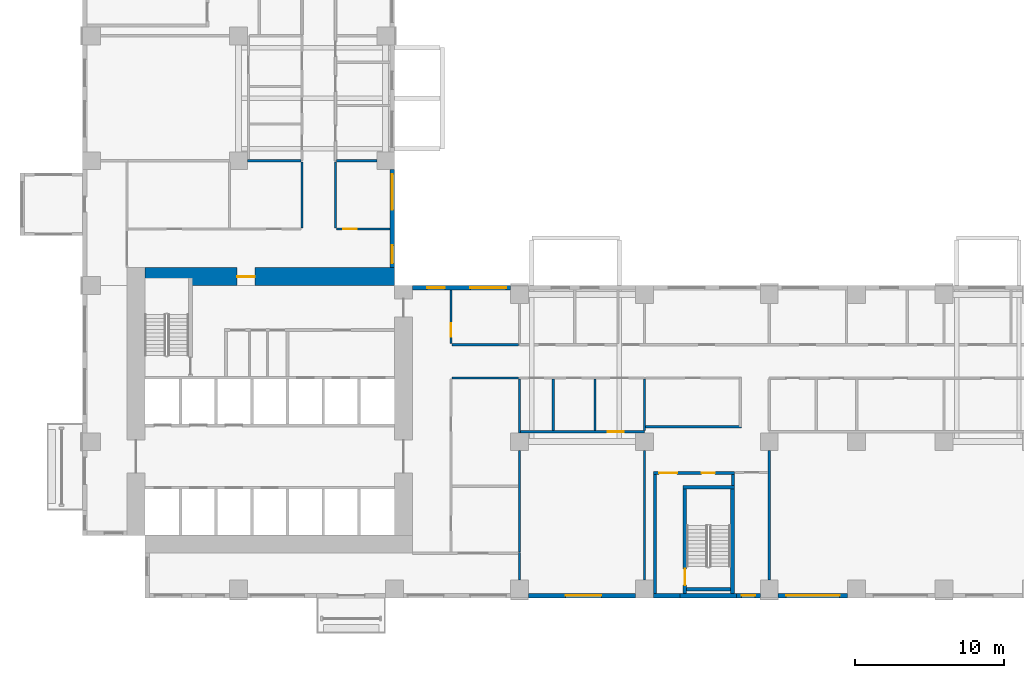
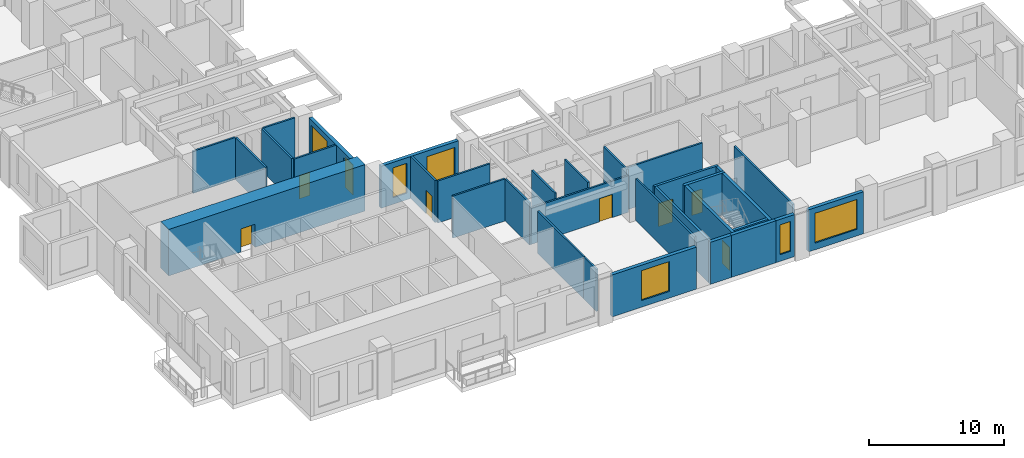
# One storey, part 4 of 14: 33 walls, 7 doors, 7 windows, 14 openings.
"""IFC4 building model written with IfcOpenShell, lengths in metres."""

from ifc_helpers import new_model, si_unit, direction, frame, frame_2d, origin, place, context, subcontext, project, spatial, rectangle, extrude, source, transform, mapped, material, layer, layer_set, type_object, element, fill, save


model = new_model("IFC4")

# Units and contexts
model_context = context("Model", 3, precision=1e-05, world=origin(), true_north=direction((0.0, 1.0)))
body_context = subcontext(model_context, "Body", "Model", "MODEL_VIEW")
ifc_project = project(units=[si_unit("LENGTHUNIT", "METRE"), si_unit("AREAUNIT", "SQUARE_METRE"), si_unit("VOLUMEUNIT", "CUBIC_METRE"), si_unit("PLANEANGLEUNIT", "RADIAN"), si_unit("MASSUNIT", "GRAM", prefix="KILO")], contexts=[model_context])

# Site, building, storey
site_placement = place(None, origin())
site = spatial("IfcSite", under=ifc_project, at=site_placement, CompositionType="ELEMENT")
building_placement = place(site_placement, origin())
building = spatial("IfcBuilding", under=site, at=building_placement, Name="Aurelian Terraces", CompositionType="ELEMENT")
storey_placement = place(building_placement, frame((0.0, 0.0, 86.7)))
storey = spatial("IfcBuildingStorey", under=building, at=storey_placement, Name="L18", CompositionType="ELEMENT", Elevation=86.7)

# Wall, opening, door
ifc_material_1 = material(Name="Concrete fc' 83 MPa", Category="concrete")
ifc_layer_1 = layer(ifc_material_1, 1.2)
ifc_layer_set_1 = layer_set([ifc_layer_1], Name="CORE WALL 1200 FC83")
wall_type_1 = type_object("IfcWallType", Name="CORE WALL 1200 FC83", PredefinedType="SHEAR", material=ifc_layer_set_1)
shared_shape_1 = source(origin(), body_context, "Body", "SweptSolid", [
    extrude(rectangle(XDim=16.8, YDim=1.2, at=frame_2d((8.4, 0.0))), origin(), (0.0, 0.0, 1.0), 4.2),
])
wall_1_placement = place(storey_placement, frame((4.2, 21.6, 0.0), z_axis=(0.0, 0.0, 1.0), x_axis=(1.0, 0.0, 0.0)))
wall_1 = element("IfcWall", 1, at=wall_1_placement, inside=storey, type_object=wall_type_1, Name="Core wall N L18", PredefinedType="SHEAR", context=body_context, shape_type="MappedRepresentation", body=[
    mapped(shared_shape_1, transform((0.0, 0.0, 0.0), scale=1.0)),
])
shared_shape_2 = source(origin(), body_context, "Body", "SweptSolid", [
    extrude(rectangle(XDim=1.2, YDim=2.1, at=frame_2d((0.6, 1.05))), frame((0.0, 0.61, 0.0), z_axis=(0.0, -1.0, 0.0), x_axis=(1.0, 0.0, 0.0)), (0.0, 0.0, 1.0), 1.22),
])
opening_1_placement = place(wall_1_placement, frame((6.2, 0.0, 0.0)))
opening_1 = element("IfcOpeningElement", 2, at=opening_1_placement, cuts=wall_1, Name="Opening 62123", PredefinedType="OPENING", context=body_context, shape_type="MappedRepresentation", body=[
    mapped(shared_shape_2, transform((0.0, 0.0, 0.0), scale=1.0)),
])
ifc_material_2 = material(Name="Steel door leaf", Category="steel")
door_type_1 = type_object("IfcDoorType", Name="Core fire door 1200x2100 right", OperationType="SINGLE_SWING_RIGHT", PredefinedType="DOOR", material=ifc_material_2)
shared_shape_3 = source(origin(), body_context, "Body", "SweptSolid", [
    extrude(rectangle(XDim=1.2, YDim=2.1, at=frame_2d((0.6, 1.05))), frame((0.0, 0.025, 0.0), z_axis=(0.0, -1.0, 0.0), x_axis=(1.0, 0.0, 0.0)), (0.0, 0.0, 1.0), 0.05),
])
door_1_placement = place(opening_1_placement, origin())
door_1 = element("IfcDoor", 3, at=door_1_placement, inside=storey, type_object=door_type_1, Name="Core door 62123", OperationType="SINGLE_SWING_RIGHT", OverallHeight=2.1, OverallWidth=1.2, PredefinedType="DOOR", context=body_context, shape_type="MappedRepresentation", body=[
    mapped(shared_shape_3, transform((0.0, 0.0, 0.0), scale=1.0)),
])
fill(opening_1, door_1)

# Wall, opening, window
ifc_material_3 = material(Name="Terracotta rainscreen cladding", Category="masonry")
ifc_layer_2 = layer(ifc_material_3, 0.3)
ifc_layer_set_2 = layer_set([ifc_layer_2], Name="EW-300")
wall_type_2 = type_object("IfcWallType", Name="EW-300", PredefinedType="STANDARD", material=ifc_layer_set_2)
shared_shape_4 = source(origin(), body_context, "Body", "SweptSolid", [
    extrude(rectangle(XDim=7.2, YDim=0.3, at=frame_2d((3.6, 0.0))), origin(), (0.0, 0.0, 1.0), 3.8),
])
wall_2_placement = place(storey_placement, frame((30.0, 0.15, 0.0), z_axis=(0.0, 0.0, 1.0), x_axis=(1.0, 0.0, 0.0)))
wall_2 = element("IfcWall", 4, at=wall_2_placement, inside=storey, type_object=wall_type_2, Name="External wall L18 F01.6", PredefinedType="STANDARD", context=body_context, shape_type="MappedRepresentation", body=[
    mapped(shared_shape_4, transform((0.0, 0.0, 0.0), scale=1.0)),
])
shared_shape_5 = source(origin(), body_context, "Body", "SweptSolid", [
    extrude(rectangle(XDim=2.4, YDim=2.7, at=frame_2d((1.2, 1.35))), frame((0.0, 0.16, 0.0), z_axis=(0.0, -1.0, 0.0), x_axis=(1.0, 0.0, 0.0)), (0.0, 0.0, 1.0), 0.32),
])
opening_2_placement = place(wall_2_placement, frame((2.5, 0.0, 0.6)))
opening_2 = element("IfcOpeningElement", 5, at=opening_2_placement, cuts=wall_2, Name="Opening W2427", PredefinedType="OPENING", context=body_context, shape_type="MappedRepresentation", body=[
    mapped(shared_shape_5, transform((0.0, 0.0, 0.0), scale=1.0)),
])
ifc_material_4 = material(Name="Clear glazing", Category="glass")
window_type_1 = type_object("IfcWindowType", Name="W-2400x2700", PartitioningType="SINGLE_PANEL", PredefinedType="WINDOW", material=ifc_material_4)
shared_shape_6 = source(origin(), body_context, "Body", "SweptSolid", [
    extrude(rectangle(XDim=2.4, YDim=2.7, at=frame_2d((1.2, 1.35))), frame((0.0, 0.03, 0.0), z_axis=(0.0, -1.0, 0.0), x_axis=(1.0, 0.0, 0.0)), (0.0, 0.0, 1.0), 0.06),
])
window_1_placement = place(opening_2_placement, origin())
window_1 = element("IfcWindow", 6, at=window_1_placement, inside=storey, type_object=window_type_1, Name="Window L18 L18-F01-06-P0", OverallHeight=2.7, OverallWidth=2.4, PartitioningType="SINGLE_PANEL", PredefinedType="WINDOW", context=body_context, shape_type="MappedRepresentation", body=[
    mapped(shared_shape_6, transform((0.0, 0.0, 0.0), scale=1.0)),
])
fill(opening_2, window_1)

shared_shape_7 = source(origin(), body_context, "Body", "SweptSolid", [
    extrude(rectangle(XDim=4.68, YDim=0.3, at=frame_2d((2.34, 0.0))), origin(), (0.0, 0.0, 1.0), 3.8),
])
wall_3_placement = place(storey_placement, frame((46.8, 0.15, 0.0), z_axis=(0.0, 0.0, 1.0), x_axis=(1.0, 0.0, 0.0)))
wall_3 = element("IfcWall", 7, at=wall_3_placement, inside=storey, type_object=wall_type_2, Name="External wall L18 F01.8", PredefinedType="STANDARD", context=body_context, shape_type="MappedRepresentation", body=[
    mapped(shared_shape_7, transform((0.0, 0.0, 0.0), scale=1.0)),
])
shared_shape_8 = source(origin(), body_context, "Body", "SweptSolid", [
    extrude(rectangle(XDim=3.6, YDim=2.7, at=frame_2d((1.8, 1.35))), frame((0.0, 0.16, 0.0), z_axis=(0.0, -1.0, 0.0), x_axis=(1.0, 0.0, 0.0)), (0.0, 0.0, 1.0), 0.32),
])
opening_3_placement = place(wall_3_placement, frame((0.54, 0.0, 0.6)))
opening_3 = element("IfcOpeningElement", 8, at=opening_3_placement, cuts=wall_3, Name="Opening W3627", PredefinedType="OPENING", context=body_context, shape_type="MappedRepresentation", body=[
    mapped(shared_shape_8, transform((0.0, 0.0, 0.0), scale=1.0)),
])
window_type_2 = type_object("IfcWindowType", Name="W-3600x2700", PartitioningType="SINGLE_PANEL", PredefinedType="WINDOW", material=ifc_material_4)
shared_shape_9 = source(origin(), body_context, "Body", "SweptSolid", [
    extrude(rectangle(XDim=3.6, YDim=2.7, at=frame_2d((1.8, 1.35))), frame((0.0, 0.03, 0.0), z_axis=(0.0, -1.0, 0.0), x_axis=(1.0, 0.0, 0.0)), (0.0, 0.0, 1.0), 0.06),
])
window_2_placement = place(opening_3_placement, origin())
window_2 = element("IfcWindow", 9, at=window_2_placement, inside=storey, type_object=window_type_2, Name="Window L18 L18-F01-08-0", OverallHeight=2.7, OverallWidth=3.6, PartitioningType="SINGLE_PANEL", PredefinedType="WINDOW", context=body_context, shape_type="MappedRepresentation", body=[
    mapped(shared_shape_9, transform((0.0, 0.0, 0.0), scale=1.0)),
])
fill(opening_3, window_2)

shared_shape_10 = source(origin(), body_context, "Body", "SweptSolid", [
    extrude(rectangle(XDim=1.6, YDim=0.3, at=frame_2d((0.8, 0.0))), origin(), (0.0, 0.0, 1.0), 3.8),
])
wall_4_placement = place(storey_placement, frame((44.0, 0.15, 0.0), z_axis=(0.0, 0.0, 1.0), x_axis=(1.0, 0.0, 0.0)))
wall_4 = element("IfcWall", 10, at=wall_4_placement, inside=storey, type_object=wall_type_2, Name="External wall L18 F01.7", PredefinedType="STANDARD", context=body_context, shape_type="MappedRepresentation", body=[
    mapped(shared_shape_10, transform((0.0, 0.0, 0.0), scale=1.0)),
])
shared_shape_11 = source(origin(), body_context, "Body", "SweptSolid", [
    extrude(rectangle(XDim=0.9, YDim=2.7, at=frame_2d((0.45, 1.35))), frame((0.0, 0.16, 0.0), z_axis=(0.0, -1.0, 0.0), x_axis=(1.0, 0.0, 0.0)), (0.0, 0.0, 1.0), 0.32),
])
opening_4_placement = place(wall_4_placement, frame((0.35, 0.0, 0.6)))
opening_4 = element("IfcOpeningElement", 11, at=opening_4_placement, cuts=wall_4, Name="Opening W0927", PredefinedType="OPENING", context=body_context, shape_type="MappedRepresentation", body=[
    mapped(shared_shape_11, transform((0.0, 0.0, 0.0), scale=1.0)),
])
window_type_3 = type_object("IfcWindowType", Name="W-900x2700", PartitioningType="SINGLE_PANEL", PredefinedType="WINDOW", material=ifc_material_4)
shared_shape_12 = source(origin(), body_context, "Body", "SweptSolid", [
    extrude(rectangle(XDim=0.9, YDim=2.7, at=frame_2d((0.45, 1.35))), frame((0.0, 0.03, 0.0), z_axis=(0.0, -1.0, 0.0), x_axis=(1.0, 0.0, 0.0)), (0.0, 0.0, 1.0), 0.06),
])
window_3_placement = place(opening_4_placement, origin())
window_3 = element("IfcWindow", 12, at=window_3_placement, inside=storey, type_object=window_type_3, Name="Window L18 L18-F01-07-P2", OverallHeight=2.7, OverallWidth=0.9, PartitioningType="SINGLE_PANEL", PredefinedType="WINDOW", context=body_context, shape_type="MappedRepresentation", body=[
    mapped(shared_shape_12, transform((0.0, 0.0, 0.0), scale=1.0)),
])
fill(opening_4, window_3)

# Walls
ifc_material_5 = material(Name="Concrete fc' 40 MPa", Category="concrete")
ifc_layer_3 = layer(ifc_material_5, 0.3)
ifc_layer_set_3 = layer_set([ifc_layer_3], Name="STAIR BAY WALL 300")
wall_type_3 = type_object("IfcWallType", Name="STAIR BAY WALL 300", PredefinedType="SOLIDWALL", material=ifc_layer_set_3)
shared_shape_13 = source(origin(), body_context, "Body", "SweptSolid", [
    extrude(rectangle(XDim=3.8, YDim=0.3, at=frame_2d((1.9, 0.0))), origin(), (0.0, 0.0, 1.0), 3.8),
])
wall_5_placement = place(storey_placement, frame((40.2, 0.15, 0.0), z_axis=(0.0, 0.0, 1.0), x_axis=(1.0, 0.0, 0.0)))
element("IfcWall", 13, at=wall_5_placement, inside=storey, type_object=wall_type_3, Name="Stair bay wall L18 F01.7", PredefinedType="SOLIDWALL", context=body_context, shape_type="MappedRepresentation", body=[
    mapped(shared_shape_13, transform((0.0, 0.0, 0.0), scale=1.0)),
])
shared_shape_14 = source(origin(), body_context, "Body", "SweptSolid", [
    extrude(rectangle(XDim=1.8, YDim=0.3, at=frame_2d((0.9, 0.0))), origin(), (0.0, 0.0, 1.0), 3.8),
])
wall_6_placement = place(storey_placement, frame((38.4, 0.15, 0.0), z_axis=(0.0, 0.0, 1.0), x_axis=(1.0, 0.0, 0.0)))
element("IfcWall", 14, at=wall_6_placement, inside=storey, type_object=wall_type_2, Name="External wall L18 F01.7", PredefinedType="STANDARD", context=body_context, shape_type="MappedRepresentation", body=[
    mapped(shared_shape_14, transform((0.0, 0.0, 0.0), scale=1.0)),
])

# Wall, openings, windows
shared_shape_15 = source(origin(), body_context, "Body", "SweptSolid", [
    extrude(rectangle(XDim=6.6, YDim=0.3, at=frame_2d((3.3, 0.0))), origin(), (0.0, 0.0, 1.0), 3.8),
])
wall_7_placement = place(storey_placement, frame((28.8, 20.85, 0.0), z_axis=(0.0, 0.0, 1.0), x_axis=(-1.0, 0.0, 0.0)))
wall_7 = element("IfcWall", 15, at=wall_7_placement, inside=storey, type_object=wall_type_2, Name="External wall L18 F07.21", PredefinedType="STANDARD", context=body_context, shape_type="MappedRepresentation", body=[
    mapped(shared_shape_15, transform((0.0, 0.0, 0.0), scale=1.0)),
])
opening_5_placement = place(wall_7_placement, frame((0.3, 0.0, 0.6)))
opening_5 = element("IfcOpeningElement", 16, at=opening_5_placement, cuts=wall_7, Name="Opening W2427", PredefinedType="OPENING", context=body_context, shape_type="MappedRepresentation", body=[
    mapped(shared_shape_5, transform((0.0, 0.0, 0.0), scale=1.0)),
])
shared_shape_16 = source(origin(), body_context, "Body", "SweptSolid", [
    extrude(rectangle(XDim=1.2, YDim=2.7, at=frame_2d((0.6, 1.35))), frame((0.0, 0.16, 0.0), z_axis=(0.0, -1.0, 0.0), x_axis=(1.0, 0.0, 0.0)), (0.0, 0.0, 1.0), 0.32),
])
opening_6_placement = place(wall_7_placement, frame((4.4125, 0.0, 0.6)))
opening_6 = element("IfcOpeningElement", 17, at=opening_6_placement, cuts=wall_7, Name="Opening W1227", PredefinedType="OPENING", context=body_context, shape_type="MappedRepresentation", body=[
    mapped(shared_shape_16, transform((0.0, 0.0, 0.0), scale=1.0)),
])
window_4_placement = place(opening_5_placement, origin())
window_4 = element("IfcWindow", 18, at=window_4_placement, inside=storey, type_object=window_type_1, Name="Window L18 L18-F07-21-3", OverallHeight=2.7, OverallWidth=2.4, PartitioningType="SINGLE_PANEL", PredefinedType="WINDOW", context=body_context, shape_type="MappedRepresentation", body=[
    mapped(shared_shape_6, transform((0.0, 0.0, 0.0), scale=1.0)),
])
fill(opening_5, window_4)
window_type_4 = type_object("IfcWindowType", Name="W-1200x2700", PartitioningType="SINGLE_PANEL", PredefinedType="WINDOW", material=ifc_material_4)
shared_shape_17 = source(origin(), body_context, "Body", "SweptSolid", [
    extrude(rectangle(XDim=1.2, YDim=2.7, at=frame_2d((0.6, 1.35))), frame((0.0, 0.03, 0.0), z_axis=(0.0, -1.0, 0.0), x_axis=(1.0, 0.0, 0.0)), (0.0, 0.0, 1.0), 0.06),
])
window_5_placement = place(opening_6_placement, origin())
window_5 = element("IfcWindow", 19, at=window_5_placement, inside=storey, type_object=window_type_4, Name="Window L18 L18-F07-21-G2-201", OverallHeight=2.7, OverallWidth=1.2, PartitioningType="SINGLE_PANEL", PredefinedType="WINDOW", context=body_context, shape_type="MappedRepresentation", body=[
    mapped(shared_shape_17, transform((0.0, 0.0, 0.0), scale=1.0)),
])
fill(opening_6, window_5)

wall_8_placement = place(storey_placement, frame((20.85, 22.2, 0.0), z_axis=(0.0, 0.0, 1.0), x_axis=(0.0, 1.0, 0.0)))
wall_8 = element("IfcWall", 20, at=wall_8_placement, inside=storey, type_object=wall_type_2, Name="External wall L18 F08.22", PredefinedType="STANDARD", context=body_context, shape_type="MappedRepresentation", body=[
    mapped(shared_shape_15, transform((0.0, 0.0, 0.0), scale=1.0)),
])
opening_7_placement = place(wall_8_placement, frame((0.3, 0.0, 0.6)))
opening_7 = element("IfcOpeningElement", 21, at=opening_7_placement, cuts=wall_8, Name="Opening W1227", PredefinedType="OPENING", context=body_context, shape_type="MappedRepresentation", body=[
    mapped(shared_shape_16, transform((0.0, 0.0, 0.0), scale=1.0)),
])
opening_8_placement = place(wall_8_placement, frame((3.9, 0.0, 0.6)))
opening_8 = element("IfcOpeningElement", 22, at=opening_8_placement, cuts=wall_8, Name="Opening W2427", PredefinedType="OPENING", context=body_context, shape_type="MappedRepresentation", body=[
    mapped(shared_shape_5, transform((0.0, 0.0, 0.0), scale=1.0)),
])
window_6_placement = place(opening_8_placement, origin())
window_6 = element("IfcWindow", 23, at=window_6_placement, inside=storey, type_object=window_type_1, Name="Window L18 L18-F08-22-1", OverallHeight=2.7, OverallWidth=2.4, PartitioningType="SINGLE_PANEL", PredefinedType="WINDOW", context=body_context, shape_type="MappedRepresentation", body=[
    mapped(shared_shape_6, transform((0.0, 0.0, 0.0), scale=1.0)),
])
fill(opening_8, window_6)
window_7_placement = place(opening_7_placement, origin())
window_7 = element("IfcWindow", 24, at=window_7_placement, inside=storey, type_object=window_type_4, Name="Window L18 L18-F08-22-0", OverallHeight=2.7, OverallWidth=1.2, PartitioningType="SINGLE_PANEL", PredefinedType="WINDOW", context=body_context, shape_type="MappedRepresentation", body=[
    mapped(shared_shape_17, transform((0.0, 0.0, 0.0), scale=1.0)),
])
fill(opening_7, window_7)

# Wall, opening, door
ifc_layer_4 = layer(ifc_material_5, 0.25)
ifc_layer_set_4 = layer_set([ifc_layer_4], Name="Stair enclosure wall 250")
wall_type_4 = type_object("IfcWallType", Name="Stair enclosure wall 250", PredefinedType="SOLIDWALL", material=ifc_layer_set_4)
shared_shape_18 = source(origin(), body_context, "Body", "SweptSolid", [
    extrude(rectangle(XDim=7.0, YDim=0.25, at=frame_2d((3.5, 0.0))), origin(), (0.0, 0.0, 1.0), 3.8),
])
wall_9_placement = place(storey_placement, frame((40.525, 0.3, 0.0), z_axis=(0.0, 0.0, 1.0), x_axis=(0.0, 1.0, 0.0)))
wall_9 = element("IfcWall", 25, at=wall_9_placement, inside=storey, type_object=wall_type_4, Name="L18 core wall ST-S2-W", PredefinedType="SOLIDWALL", context=body_context, shape_type="MappedRepresentation", body=[
    mapped(shared_shape_18, transform((0.0, 0.0, 0.0), scale=1.0)),
])
shared_shape_19 = source(origin(), body_context, "Body", "SweptSolid", [
    extrude(rectangle(XDim=1.1, YDim=2.1, at=frame_2d((0.55, 1.05))), frame((0.0, 0.135, 0.0), z_axis=(0.0, -1.0, 0.0), x_axis=(1.0, 0.0, 0.0)), (0.0, 0.0, 1.0), 0.27),
])
opening_9_placement = place(wall_9_placement, frame((0.55, 0.0, 0.0)))
opening_9 = element("IfcOpeningElement", 26, at=opening_9_placement, cuts=wall_9, Name="Opening 62115", PredefinedType="OPENING", context=body_context, shape_type="MappedRepresentation", body=[
    mapped(shared_shape_19, transform((0.0, 0.0, 0.0), scale=1.0)),
])
door_type_2 = type_object("IfcDoorType", Name="Core fire door 1100x2100", OperationType="SINGLE_SWING_LEFT", PredefinedType="DOOR", material=ifc_material_2)
shared_shape_20 = source(origin(), body_context, "Body", "SweptSolid", [
    extrude(rectangle(XDim=1.1, YDim=2.1, at=frame_2d((0.55, 1.05))), frame((0.0, 0.025, 0.0), z_axis=(0.0, -1.0, 0.0), x_axis=(1.0, 0.0, 0.0)), (0.0, 0.0, 1.0), 0.05),
])
door_2_placement = place(opening_9_placement, origin())
door_2 = element("IfcDoor", 27, at=door_2_placement, inside=storey, type_object=door_type_2, Name="Stair door 62115", OperationType="SINGLE_SWING_LEFT", OverallHeight=2.1, OverallWidth=1.1, PredefinedType="DOOR", context=body_context, shape_type="MappedRepresentation", body=[
    mapped(shared_shape_20, transform((0.0, 0.0, 0.0), scale=1.0)),
])
fill(opening_9, door_2)

# Walls
wall_10_placement = place(storey_placement, frame((43.725, 0.3, 0.0), z_axis=(0.0, 0.0, 1.0), x_axis=(0.0, 1.0, 0.0)))
element("IfcWall", 28, at=wall_10_placement, inside=storey, type_object=wall_type_4, Name="L18 core wall ST-S2-E", PredefinedType="SOLIDWALL", context=body_context, shape_type="MappedRepresentation", body=[
    mapped(shared_shape_18, transform((0.0, 0.0, 0.0), scale=1.0)),
])
shared_shape_21 = source(origin(), body_context, "Body", "SweptSolid", [
    extrude(rectangle(XDim=3.45, YDim=0.25, at=frame_2d((1.725, 0.0))), origin(), (0.0, 0.0, 1.0), 3.8),
])
wall_11_placement = place(storey_placement, frame((40.4, 7.425, 0.0), z_axis=(0.0, 0.0, 1.0), x_axis=(1.0, 0.0, 0.0)))
element("IfcWall", 29, at=wall_11_placement, inside=storey, type_object=wall_type_4, Name="L18 core wall ST-S2-N", PredefinedType="SOLIDWALL", context=body_context, shape_type="MappedRepresentation", body=[
    mapped(shared_shape_21, transform((0.0, 0.0, 0.0), scale=1.0)),
])
shared_shape_22 = source(origin(), body_context, "Body", "SweptSolid", [
    extrude(rectangle(XDim=2.95, YDim=0.25, at=frame_2d((1.475, 0.0))), origin(), (0.0, 0.0, 1.0), 3.8),
])
wall_12_placement = place(storey_placement, frame((40.65, 0.575, 0.0), z_axis=(0.0, 0.0, 1.0), x_axis=(1.0, 0.0, 0.0)))
element("IfcWall", 30, at=wall_12_placement, inside=storey, type_object=wall_type_4, Name="L18 core wall ST-S2-SS", PredefinedType="SOLIDWALL", context=body_context, shape_type="MappedRepresentation", body=[
    mapped(shared_shape_22, transform((0.0, 0.0, 0.0), scale=1.0)),
])
ifc_material_6 = material(Name="Gypsum board on steel studs", Category="steel")
ifc_layer_5 = layer(ifc_material_6, 0.2)
ifc_layer_set_5 = layer_set([ifc_layer_5], Name="Core partition 200")
wall_type_5 = type_object("IfcWallType", Name="Core partition 200", PredefinedType="PARTITIONING", material=ifc_layer_set_5)
shared_shape_23 = source(origin(), body_context, "Body", "SweptSolid", [
    extrude(rectangle(XDim=8.0, YDim=0.2, at=frame_2d((4.0, 0.0))), origin(), (0.0, 0.0, 1.0), 3.8),
])
wall_13_placement = place(storey_placement, frame((38.5, 0.3, 0.0), z_axis=(0.0, 0.0, 1.0), x_axis=(0.0, 1.0, 0.0)))
element("IfcWall", 31, at=wall_13_placement, inside=storey, type_object=wall_type_5, Name="L18 core wall ST-S2-VW", PredefinedType="PARTITIONING", context=body_context, shape_type="MappedRepresentation", body=[
    mapped(shared_shape_23, transform((0.0, 0.0, 0.0), scale=1.0)),
])

# Wall, openings, doors
shared_shape_24 = source(origin(), body_context, "Body", "SweptSolid", [
    extrude(rectangle(XDim=5.45, YDim=0.2, at=frame_2d((2.725, 0.0))), origin(), (0.0, 0.0, 1.0), 3.8),
])
wall_14_placement = place(storey_placement, frame((38.4, 8.4, 0.0), z_axis=(0.0, 0.0, 1.0), x_axis=(1.0, 0.0, 0.0)))
wall_14 = element("IfcWall", 32, at=wall_14_placement, inside=storey, type_object=wall_type_5, Name="L18 core wall ST-S2-BN", PredefinedType="PARTITIONING", context=body_context, shape_type="MappedRepresentation", body=[
    mapped(shared_shape_24, transform((0.0, 0.0, 0.0), scale=1.0)),
])
shared_shape_25 = source(origin(), body_context, "Body", "SweptSolid", [
    extrude(rectangle(XDim=1.2, YDim=2.1, at=frame_2d((0.6, 1.05))), frame((0.0, 0.11, 0.0), z_axis=(0.0, -1.0, 0.0), x_axis=(1.0, 0.0, 0.0)), (0.0, 0.0, 1.0), 0.22),
])
opening_10_placement = place(wall_14_placement, frame((0.4, 0.0, 0.0)))
opening_10 = element("IfcOpeningElement", 33, at=opening_10_placement, cuts=wall_14, Name="Opening 62116", PredefinedType="OPENING", context=body_context, shape_type="MappedRepresentation", body=[
    mapped(shared_shape_25, transform((0.0, 0.0, 0.0), scale=1.0)),
])
shared_shape_26 = source(origin(), body_context, "Body", "SweptSolid", [
    extrude(rectangle(XDim=0.9, YDim=2.1, at=frame_2d((0.45, 1.05))), frame((0.0, 0.11, 0.0), z_axis=(0.0, -1.0, 0.0), x_axis=(1.0, 0.0, 0.0)), (0.0, 0.0, 1.0), 0.22),
])
opening_11_placement = place(wall_14_placement, frame((3.25, 0.0, 0.0)))
opening_11 = element("IfcOpeningElement", 34, at=opening_11_placement, cuts=wall_14, Name="Opening 62117", PredefinedType="OPENING", context=body_context, shape_type="MappedRepresentation", body=[
    mapped(shared_shape_26, transform((0.0, 0.0, 0.0), scale=1.0)),
])
door_type_3 = type_object("IfcDoorType", Name="Core riser door 900x2100", OperationType="SINGLE_SWING_LEFT", PredefinedType="DOOR", material=ifc_material_2)
shared_shape_27 = source(origin(), body_context, "Body", "SweptSolid", [
    extrude(rectangle(XDim=0.9, YDim=2.1, at=frame_2d((0.45, 1.05))), frame((0.0, 0.025, 0.0), z_axis=(0.0, -1.0, 0.0), x_axis=(1.0, 0.0, 0.0)), (0.0, 0.0, 1.0), 0.05),
])
door_3_placement = place(opening_11_placement, origin())
door_3 = element("IfcDoor", 35, at=door_3_placement, inside=storey, type_object=door_type_3, Name="Riser door 62117", OperationType="SINGLE_SWING_LEFT", OverallHeight=2.1, OverallWidth=0.9, PredefinedType="DOOR", context=body_context, shape_type="MappedRepresentation", body=[
    mapped(shared_shape_27, transform((0.0, 0.0, 0.0), scale=1.0)),
])
fill(opening_11, door_3)
door_4_placement = place(opening_10_placement, origin())
door_4 = element("IfcDoor", 36, at=door_4_placement, inside=storey, type_object=door_type_1, Name="Vestibule door 62116", OperationType="SINGLE_SWING_RIGHT", OverallHeight=2.1, OverallWidth=1.2, PredefinedType="DOOR", context=body_context, shape_type="MappedRepresentation", body=[
    mapped(shared_shape_3, transform((0.0, 0.0, 0.0), scale=1.0)),
])
fill(opening_10, door_4)

# Walls
shared_shape_28 = source(origin(), body_context, "Body", "SweptSolid", [
    extrude(rectangle(XDim=0.75, YDim=0.2, at=frame_2d((0.375, 0.0))), origin(), (0.0, 0.0, 1.0), 3.8),
])
wall_15_placement = place(storey_placement, frame((43.75, 7.55, 0.0), z_axis=(0.0, 0.0, 1.0), x_axis=(0.0, 1.0, 0.0)))
element("IfcWall", 37, at=wall_15_placement, inside=storey, type_object=wall_type_5, Name="L18 core wall ST-S2-RE", PredefinedType="PARTITIONING", context=body_context, shape_type="MappedRepresentation", body=[
    mapped(shared_shape_28, transform((0.0, 0.0, 0.0), scale=1.0)),
])
ifc_layer_6 = layer(ifc_material_6, 0.15)
ifc_layer_set_6 = layer_set([ifc_layer_6], Name="Partition 150")
wall_type_6 = type_object("IfcWallType", Name="Partition 150", PredefinedType="PARTITIONING", material=ifc_layer_set_6)
shared_shape_29 = source(origin(), body_context, "Body", "SweptSolid", [
    extrude(rectangle(XDim=6.45, YDim=0.15, at=frame_2d((3.225, 0.0))), origin(), (0.0, 0.0, 1.0), 3.8),
])
wall_16_placement = place(storey_placement, frame((37.875, 11.5, 0.0), z_axis=(0.0, 0.0, 1.0), x_axis=(1.0, 0.0, 0.0)))
element("IfcWall", 38, at=wall_16_placement, inside=storey, type_object=wall_type_6, Name="Partition", PredefinedType="PARTITIONING", context=body_context, shape_type="MappedRepresentation", body=[
    mapped(shared_shape_29, transform((0.0, 0.0, 0.0), scale=1.0)),
])
shared_shape_30 = source(origin(), body_context, "Body", "SweptSolid", [
    extrude(rectangle(XDim=8.702, YDim=0.15, at=frame_2d((4.351, 0.0))), origin(), (0.0, 0.0, 1.0), 3.8),
])
for number, where, z_axis, x_axis, name in (
    (39, (37.8, 1.199, 0.0), (0.0, 0.0, 1.0), (0.0, 1.0, 0.0), "Partition"),
    (40, (46.2, 1.199, 0.0), (0.0, 0.0, 1.0), (0.0, 1.0, 0.0), "Partition"),
):
    element("IfcWall", number, at=place(storey_placement, frame(where, z_axis=z_axis, x_axis=x_axis)), inside=storey, type_object=wall_type_6, Name=name, PredefinedType="PARTITIONING", context=body_context, shape_type="MappedRepresentation", body=[
        mapped(shared_shape_30, transform((0.0, 0.0, 0.0), scale=1.0)),
    ])

# Wall, opening, door
shared_shape_31 = source(origin(), body_context, "Body", "SweptSolid", [
    extrude(rectangle(XDim=3.6, YDim=0.15, at=frame_2d((1.8, 0.0))), origin(), (0.0, 0.0, 1.0), 3.8),
])
wall_17_placement = place(storey_placement, frame((24.8, 20.7, 0.0), z_axis=(0.0, 0.0, 1.0), x_axis=(0.0, -1.0, 0.0)))
wall_17 = element("IfcWall", 41, at=wall_17_placement, inside=storey, type_object=wall_type_6, Name="Partition", PredefinedType="PARTITIONING", context=body_context, shape_type="MappedRepresentation", body=[
    mapped(shared_shape_31, transform((0.0, 0.0, 0.0), scale=1.0)),
])
shared_shape_32 = source(origin(), body_context, "Body", "SweptSolid", [
    extrude(rectangle(XDim=0.9, YDim=2.1, at=frame_2d((0.45, 1.05))), frame((0.0, 0.085, 0.0), z_axis=(0.0, -1.0, 0.0), x_axis=(1.0, 0.0, 0.0)), (0.0, 0.0, 1.0), 0.17),
])
opening_12_placement = place(wall_17_placement, frame((2.25, 0.0, 0.0)))
opening_12 = element("IfcOpeningElement", 42, at=opening_12_placement, cuts=wall_17, Name="Opening 718003", PredefinedType="OPENING", context=body_context, shape_type="MappedRepresentation", body=[
    mapped(shared_shape_32, transform((0.0, 0.0, 0.0), scale=1.0)),
])
ifc_material_7 = material(Name="Timber door leaf", Category="wood")
door_type_4 = type_object("IfcDoorType", Name="Room door 900x2100 left", OperationType="SINGLE_SWING_LEFT", PredefinedType="DOOR", material=ifc_material_7)
door_5_placement = place(opening_12_placement, origin())
door_5 = element("IfcDoor", 43, at=door_5_placement, inside=storey, type_object=door_type_4, Name="Door 718003", OperationType="SINGLE_SWING_LEFT", OverallHeight=2.1, OverallWidth=0.9, PredefinedType="DOOR", context=body_context, shape_type="MappedRepresentation", body=[
    mapped(shared_shape_27, transform((0.0, 0.0, 0.0), scale=1.0)),
])
fill(opening_12, door_5)

wall_18_placement = place(storey_placement, frame((17.1, 24.8, 0.0), z_axis=(0.0, 0.0, 1.0), x_axis=(1.0, 0.0, 0.0)))
wall_18 = element("IfcWall", 44, at=wall_18_placement, inside=storey, type_object=wall_type_6, Name="Partition", PredefinedType="PARTITIONING", context=body_context, shape_type="MappedRepresentation", body=[
    mapped(shared_shape_31, transform((0.0, 0.0, 0.0), scale=1.0)),
])
opening_13_placement = place(wall_18_placement, frame((0.45, 0.0, 0.0)))
opening_13 = element("IfcOpeningElement", 45, at=opening_13_placement, cuts=wall_18, Name="Opening 718030", PredefinedType="OPENING", context=body_context, shape_type="MappedRepresentation", body=[
    mapped(shared_shape_32, transform((0.0, 0.0, 0.0), scale=1.0)),
])
door_6_placement = place(opening_13_placement, origin())
door_6 = element("IfcDoor", 46, at=door_6_placement, inside=storey, type_object=door_type_4, Name="Door 718030", OperationType="SINGLE_SWING_LEFT", OverallHeight=2.1, OverallWidth=0.9, PredefinedType="DOOR", context=body_context, shape_type="MappedRepresentation", body=[
    mapped(shared_shape_27, transform((0.0, 0.0, 0.0), scale=1.0)),
])
fill(opening_13, door_6)

# Walls
shared_shape_33 = source(origin(), body_context, "Body", "SweptSolid", [
    extrude(rectangle(XDim=2.701, YDim=0.15, at=frame_2d((1.3505, 0.0))), origin(), (0.0, 0.0, 1.0), 3.8),
])
wall_19_placement = place(storey_placement, frame((19.801, 29.4, 0.0), z_axis=(0.0, 0.0, 1.0), x_axis=(-1.0, 0.0, 0.0)))
element("IfcWall", 47, at=wall_19_placement, inside=storey, type_object=wall_type_6, Name="Partition", PredefinedType="PARTITIONING", context=body_context, shape_type="MappedRepresentation", body=[
    mapped(shared_shape_33, transform((0.0, 0.0, 0.0), scale=1.0)),
])
shared_shape_34 = source(origin(), body_context, "Body", "SweptSolid", [
    extrude(rectangle(XDim=6.826, YDim=0.15, at=frame_2d((3.413, 0.0))), origin(), (0.0, 0.0, 1.0), 3.8),
])
wall_20_placement = place(storey_placement, frame((29.4, 3.075, 0.0), z_axis=(0.0, 0.0, 1.0), x_axis=(0.0, 1.0, 0.0)))
element("IfcWall", 48, at=wall_20_placement, inside=storey, type_object=wall_type_6, Name="Partition", PredefinedType="PARTITIONING", context=body_context, shape_type="MappedRepresentation", body=[
    mapped(shared_shape_34, transform((0.0, 0.0, 0.0), scale=1.0)),
])
shared_shape_35 = source(origin(), body_context, "Body", "SweptSolid", [
    extrude(rectangle(XDim=1.856, YDim=0.15, at=frame_2d((0.928, 0.0))), origin(), (0.0, 0.0, 1.0), 3.8),
])
wall_21_placement = place(storey_placement, frame((29.4, 1.199, 0.0), z_axis=(0.0, 0.0, 1.0), x_axis=(0.0, 1.0, 0.0)))
element("IfcWall", 49, at=wall_21_placement, inside=storey, type_object=wall_type_6, Name="Partition", PredefinedType="PARTITIONING", context=body_context, shape_type="MappedRepresentation", body=[
    mapped(shared_shape_35, transform((0.0, 0.0, 0.0), scale=1.0)),
])

# Wall, opening, door
shared_shape_36 = source(origin(), body_context, "Body", "SweptSolid", [
    extrude(rectangle(XDim=8.4, YDim=0.15, at=frame_2d((4.2, 0.0))), origin(), (0.0, 0.0, 1.0), 3.3),
])
wall_22_placement = place(storey_placement, frame((37.8, 11.175, 0.0), z_axis=(0.0, 0.0, 1.0), x_axis=(-1.0, 0.0, 0.0)))
wall_22 = element("IfcWall", 50, at=wall_22_placement, inside=storey, type_object=wall_type_6, Name="Partition", PredefinedType="PARTITIONING", context=body_context, shape_type="MappedRepresentation", body=[
    mapped(shared_shape_36, transform((0.0, 0.0, 0.0), scale=1.0)),
])
shared_shape_37 = source(origin(), body_context, "Body", "SweptSolid", [
    extrude(rectangle(XDim=1.1, YDim=2.1, at=frame_2d((0.55, 1.05))), frame((0.0, 0.085, 0.0), z_axis=(0.0, -1.0, 0.0), x_axis=(1.0, 0.0, 0.0)), (0.0, 0.0, 1.0), 0.17),
])
opening_14_placement = place(wall_22_placement, frame((1.3792, 0.0, 0.0)))
opening_14 = element("IfcOpeningElement", 51, at=opening_14_placement, cuts=wall_22, Name="Opening 718008", PredefinedType="OPENING", context=body_context, shape_type="MappedRepresentation", body=[
    mapped(shared_shape_37, transform((0.0, 0.0, 0.0), scale=1.0)),
])
door_type_5 = type_object("IfcDoorType", Name="Room door 1100x2100 right", OperationType="SINGLE_SWING_RIGHT", PredefinedType="DOOR", material=ifc_material_7)
door_7_placement = place(opening_14_placement, origin())
door_7 = element("IfcDoor", 52, at=door_7_placement, inside=storey, type_object=door_type_5, Name="Door 718008", OperationType="SINGLE_SWING_RIGHT", OverallHeight=2.1, OverallWidth=1.1, PredefinedType="DOOR", context=body_context, shape_type="MappedRepresentation", body=[
    mapped(shared_shape_20, transform((0.0, 0.0, 0.0), scale=1.0)),
])
fill(opening_14, door_7)

# Walls
shared_shape_38 = source(origin(), body_context, "Body", "SweptSolid", [
    extrude(rectangle(XDim=3.601, YDim=0.15, at=frame_2d((1.8005, 0.0))), origin(), (0.0, 0.0, 1.0), 3.8),
])
for number, where, z_axis, x_axis, name in (
    (53, (29.4, 11.099, 0.0), (0.0, 0.0, 1.0), (0.0, 1.0, 0.0), "Partition"),
    (54, (14.7, 29.4, 0.0), (0.0, 0.0, 1.0), (-1.0, 0.0, 0.0), "Partition"),
):
    element("IfcWall", number, at=place(storey_placement, frame(where, z_axis=z_axis, x_axis=x_axis)), inside=storey, type_object=wall_type_6, Name=name, PredefinedType="PARTITIONING", context=body_context, shape_type="MappedRepresentation", body=[
        mapped(shared_shape_38, transform((0.0, 0.0, 0.0), scale=1.0)),
    ])
shared_shape_39 = source(origin(), body_context, "Body", "SweptSolid", [
    extrude(rectangle(XDim=3.45, YDim=0.15, at=frame_2d((1.725, 0.0))), origin(), (0.0, 0.0, 1.0), 3.8),
])
for number, where, z_axis, x_axis, name in (
    (55, (31.6645, 11.25, 0.0), (0.0, 0.0, 1.0), (0.0, 1.0, 0.0), "Partition"),
    (56, (34.4708, 11.25, 0.0), (0.0, 0.0, 1.0), (0.0, 1.0, 0.0), "Partition"),
    (57, (37.8, 11.25, 0.0), (0.0, 0.0, 1.0), (0.0, 1.0, 0.0), "Partition"),
):
    element("IfcWall", number, at=place(storey_placement, frame(where, z_axis=z_axis, x_axis=x_axis)), inside=storey, type_object=wall_type_6, Name=name, PredefinedType="PARTITIONING", context=body_context, shape_type="MappedRepresentation", body=[
        mapped(shared_shape_39, transform((0.0, 0.0, 0.0), scale=1.0)),
    ])
ifc_layer_7 = layer(ifc_material_6, 0.15)
ifc_layer_set_7 = layer_set([ifc_layer_7], Name="Fire partition 150")
wall_type_7 = type_object("IfcWallType", Name="Fire partition 150", PredefinedType="PARTITIONING", material=ifc_layer_set_7)
shared_shape_40 = source(origin(), body_context, "Body", "SweptSolid", [
    extrude(rectangle(XDim=4.45, YDim=0.15, at=frame_2d((2.225, 0.0))), origin(), (0.0, 0.0, 1.0), 3.8),
])
for number, where, z_axis, x_axis, name in (
    (58, (29.325, 14.775, 0.0), (0.0, 0.0, 1.0), (-1.0, 0.0, 0.0), "Corridor wall"),
    (59, (24.875, 17.025, 0.0), (0.0, 0.0, 1.0), (1.0, 0.0, 0.0), "Corridor wall"),
    (60, (14.775, 24.875, 0.0), (0.0, 0.0, 1.0), (0.0, 1.0, 0.0), "Corridor wall"),
    (61, (17.025, 29.325, 0.0), (0.0, 0.0, 1.0), (0.0, -1.0, 0.0), "Corridor wall"),
):
    element("IfcWall", number, at=place(storey_placement, frame(where, z_axis=z_axis, x_axis=x_axis)), inside=storey, type_object=wall_type_7, Name=name, PredefinedType="PARTITIONING", context=body_context, shape_type="MappedRepresentation", body=[
        mapped(shared_shape_40, transform((0.0, 0.0, 0.0), scale=1.0)),
    ])

save(model, "model.ifc")
